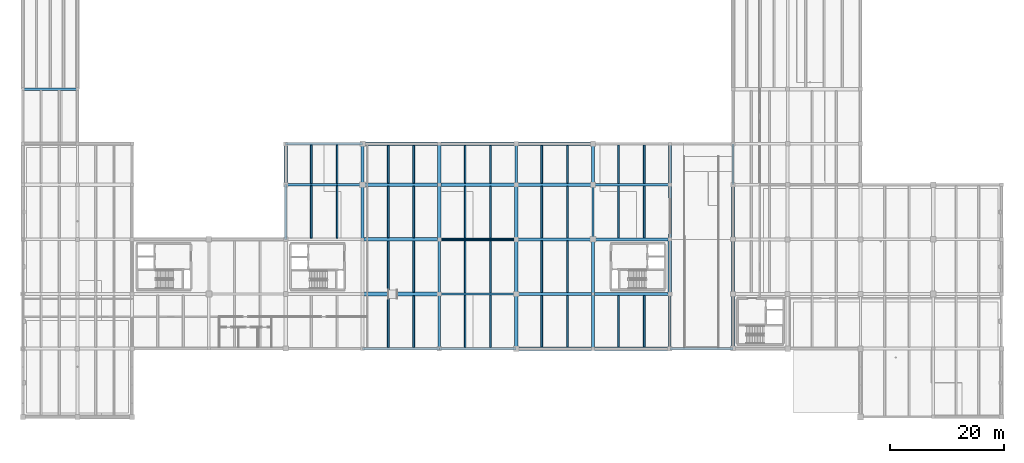
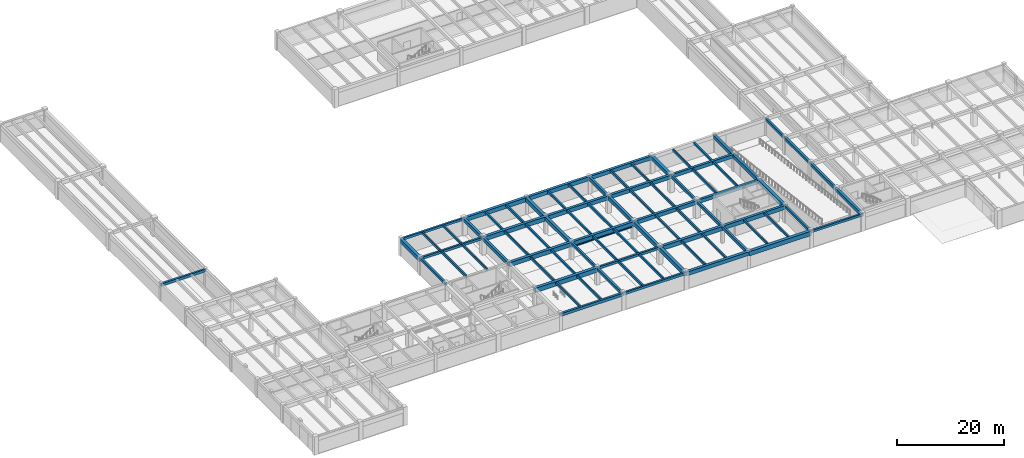
# One storey, part 4 of 28: 82 beams.
"""IFC4 building model written with IfcOpenShell, lengths in metres."""

from ifc_helpers import new_model, si_unit, direction, frame, origin, origin_2d, place, context, subcontext, project, spatial, rectangle, i_section, extrude, material, material_profile, profile_set, type_object, element, save


model = new_model("IFC4")

# Units and contexts
model_context = context("Model", 3, precision=1e-05, world=origin(), true_north=direction((0.0, 1.0)))
body_context = subcontext(model_context, "Body", "Model", "MODEL_VIEW")
ifc_project = project(units=[si_unit("LENGTHUNIT", "METRE"), si_unit("AREAUNIT", "SQUARE_METRE"), si_unit("VOLUMEUNIT", "CUBIC_METRE"), si_unit("PLANEANGLEUNIT", "RADIAN"), si_unit("MASSUNIT", "GRAM", prefix="KILO")], contexts=[model_context])

# Site, building, storey
site_placement = place(None, origin())
site = spatial("IfcSite", under=ifc_project, at=site_placement, CompositionType="ELEMENT")
building_placement = place(site_placement, origin())
building = spatial("IfcBuilding", under=site, at=building_placement, Name="Fikremerkos Civic Library", CompositionType="ELEMENT")
storey_placement = place(building_placement, frame((0.0, 0.0, -4.199951171875)))
storey = spatial("IfcBuildingStorey", under=building, at=storey_placement, Name="B01", CompositionType="ELEMENT", Elevation=-4.199951171875)

# Beams
ifc_material_1 = material(Name="Concrete C40/50", Category="concrete")
ifc_material_profile_1 = material_profile(ifc_material_1, rectangle(XDim=0.300048828125, YDim=0.52001953125, at=origin_2d()), Name="RC 300x520")
ifc_profile_set_1 = profile_set([ifc_material_profile_1], Name="Concrete C40/50")
beam_type_1 = type_object("IfcBeamType", Name="Floor joist JS-03 RC 300x520", PredefinedType="JOIST", material=ifc_profile_set_1)
for number, where, z_axis, x_axis, name in (
    (1, (50.699951171875, 31.39990234375, 3.619873046875), (0.0, 1.0, 0.0), (-1.0, 0.0, 0.0), "Floor joist JS-03 B01 #177"),
    (2, (55.199951171875, 31.39990234375, 3.619873046875), (0.0, 1.0, 0.0), (-1.0, 0.0, 0.0), "Floor joist JS-03 B01 #178"),
):
    element("IfcBeam", number, at=place(storey_placement, frame(where, z_axis=z_axis, x_axis=x_axis)), inside=storey, type_object=beam_type_1, Name=name, PredefinedType="JOIST", context=body_context, shape_type="SweptSolid", body=[
        extrude(rectangle(XDim=0.300048828125, YDim=0.52001953125, at=origin_2d()), origin(), (0.0, 0.0, 1.0), 9.2001953125),
    ])
for number, where, z_axis, x_axis, name in (
    (3, (50.699951171875, 41.0, 3.619873046875), (0.0, 1.0, 0.0), (-1.0, 0.0, 0.0), "Floor joist JS-03 B01 #179"),
    (4, (55.199951171875, 41.0, 3.619873046875), (0.0, 1.0, 0.0), (-1.0, 0.0, 0.0), "Floor joist JS-03 B01 #180"),
):
    element("IfcBeam", number, at=place(storey_placement, frame(where, z_axis=z_axis, x_axis=x_axis)), inside=storey, type_object=beam_type_1, Name=name, PredefinedType="JOIST", context=body_context, shape_type="SweptSolid", body=[
        extrude(rectangle(XDim=0.300048828125, YDim=0.52001953125, at=origin_2d()), origin(), (0.0, 0.0, 1.0), 6.800048828125),
    ])
for number, where, z_axis, x_axis, name in (
    (5, (64.199951171875, 12.22509765625, 3.599853515625), (0.0, 1.0, 0.0), (-1.0, 0.0, 0.0), "Floor joist JS-03 B01 #181"),
    (6, (68.699951171875, 12.22509765625, 3.599853515625), (0.0, 1.0, 0.0), (-1.0, 0.0, 0.0), "Floor joist JS-03 B01 #182"),
):
    element("IfcBeam", number, at=place(storey_placement, frame(where, z_axis=z_axis, x_axis=x_axis)), inside=storey, type_object=beam_type_1, Name=name, PredefinedType="JOIST", context=body_context, shape_type="SweptSolid", body=[
        extrude(rectangle(XDim=0.300048828125, YDim=0.52001953125, at=origin_2d()), origin(), (0.0, 0.0, 1.0), 9.0498046875),
    ])
for number, where, z_axis, x_axis, name in (
    (7, (64.199951171875, 21.925048828125, 3.599853515625), (0.0, 1.0, 0.0), (-1.0, 0.0, 0.0), "Floor joist JS-03 B01 #183"),
    (8, (68.699951171875, 21.925048828125, 3.599853515625), (0.0, 1.0, 0.0), (-1.0, 0.0, 0.0), "Floor joist JS-03 B01 #184"),
):
    element("IfcBeam", number, at=place(storey_placement, frame(where, z_axis=z_axis, x_axis=x_axis)), inside=storey, type_object=beam_type_1, Name=name, PredefinedType="JOIST", context=body_context, shape_type="SweptSolid", body=[
        extrude(rectangle(XDim=0.300048828125, YDim=0.52001953125, at=origin_2d()), origin(), (0.0, 0.0, 1.0), 8.974853515625),
    ])
for number, where, z_axis, x_axis, name in (
    (9, (64.199951171875, 31.5, 3.619873046875), (0.0, 1.0, 0.0), (-1.0, 0.0, 0.0), "Floor joist JS-03 B01 #185"),
    (10, (68.699951171875, 31.5, 3.619873046875), (0.0, 1.0, 0.0), (-1.0, 0.0, 0.0), "Floor joist JS-03 B01 #186"),
):
    element("IfcBeam", number, at=place(storey_placement, frame(where, z_axis=z_axis, x_axis=x_axis)), inside=storey, type_object=beam_type_1, Name=name, PredefinedType="JOIST", context=body_context, shape_type="SweptSolid", body=[
        extrude(rectangle(XDim=0.300048828125, YDim=0.52001953125, at=origin_2d()), origin(), (0.0, 0.0, 1.0), 9.0),
    ])
for number, where, z_axis, x_axis, name in (
    (11, (64.199951171875, 41.10009765625, 3.619873046875), (0.0, 1.0, 0.0), (-1.0, 0.0, 0.0), "Floor joist JS-03 B01 #187"),
    (12, (68.699951171875, 41.10009765625, 3.619873046875), (0.0, 1.0, 0.0), (-1.0, 0.0, 0.0), "Floor joist JS-03 B01 #188"),
):
    element("IfcBeam", number, at=place(storey_placement, frame(where, z_axis=z_axis, x_axis=x_axis)), inside=storey, type_object=beam_type_1, Name=name, PredefinedType="JOIST", context=body_context, shape_type="SweptSolid", body=[
        extrude(rectangle(XDim=0.300048828125, YDim=0.52001953125, at=origin_2d()), origin(), (0.0, 0.0, 1.0), 6.599853515625),
    ])
for number, where, z_axis, x_axis, name in (
    (13, (77.699951171875, 12.199951171875, 3.599853515625), (0.0, 1.0, 0.0), (-1.0, 0.0, 0.0), "Floor joist JS-03 B01 #192"),
    (14, (82.199951171875, 12.199951171875, 3.599853515625), (0.0, 1.0, 0.0), (-1.0, 0.0, 0.0), "Floor joist JS-03 B01 #193"),
):
    element("IfcBeam", number, at=place(storey_placement, frame(where, z_axis=z_axis, x_axis=x_axis)), inside=storey, type_object=beam_type_1, Name=name, PredefinedType="JOIST", context=body_context, shape_type="SweptSolid", body=[
        extrude(rectangle(XDim=0.300048828125, YDim=0.52001953125, at=origin_2d()), origin(), (0.0, 0.0, 1.0), 9.199951171875),
    ])
for number, where, z_axis, x_axis, name in (
    (15, (77.699951171875, 21.800048828125, 3.599853515625), (0.0, 1.0, 0.0), (-1.0, 0.0, 0.0), "Floor joist JS-03 B01 #194"),
    (16, (82.199951171875, 21.800048828125, 3.599853515625), (0.0, 1.0, 0.0), (-1.0, 0.0, 0.0), "Floor joist JS-03 B01 #195"),
):
    element("IfcBeam", number, at=place(storey_placement, frame(where, z_axis=z_axis, x_axis=x_axis)), inside=storey, type_object=beam_type_1, Name=name, PredefinedType="JOIST", context=body_context, shape_type="SweptSolid", body=[
        extrude(rectangle(XDim=0.300048828125, YDim=0.52001953125, at=origin_2d()), origin(), (0.0, 0.0, 1.0), 9.125),
    ])
for number, where, z_axis, x_axis, name in (
    (17, (77.699951171875, 31.47509765625, 3.619873046875), (0.0, 1.0, 0.0), (-1.0, 0.0, 0.0), "Floor joist JS-03 B01 #196"),
    (18, (82.199951171875, 31.47509765625, 3.619873046875), (0.0, 1.0, 0.0), (-1.0, 0.0, 0.0), "Floor joist JS-03 B01 #197"),
):
    element("IfcBeam", number, at=place(storey_placement, frame(where, z_axis=z_axis, x_axis=x_axis)), inside=storey, type_object=beam_type_1, Name=name, PredefinedType="JOIST", context=body_context, shape_type="SweptSolid", body=[
        extrude(rectangle(XDim=0.300048828125, YDim=0.52001953125, at=origin_2d()), origin(), (0.0, 0.0, 1.0), 9.0498046875),
    ])
for number, where, z_axis, x_axis, name in (
    (19, (77.699951171875, 41.074951171875, 3.619873046875), (0.0, 1.0, 0.0), (-1.0, 0.0, 0.0), "Floor joist JS-03 B01 #198"),
    (20, (82.199951171875, 41.074951171875, 3.619873046875), (0.0, 1.0, 0.0), (-1.0, 0.0, 0.0), "Floor joist JS-03 B01 #199"),
):
    element("IfcBeam", number, at=place(storey_placement, frame(where, z_axis=z_axis, x_axis=x_axis)), inside=storey, type_object=beam_type_1, Name=name, PredefinedType="JOIST", context=body_context, shape_type="SweptSolid", body=[
        extrude(rectangle(XDim=0.300048828125, YDim=0.52001953125, at=origin_2d()), origin(), (0.0, 0.0, 1.0), 6.650146484375),
    ])
for number, where, z_axis, x_axis, name in (
    (21, (91.199951171875, 12.300048828125, 3.599853515625), (0.0, 1.0, 0.0), (-1.0, 0.0, 0.0), "Floor joist JS-03 B01 #200"),
    (22, (95.699951171875, 12.300048828125, 3.599853515625), (0.0, 1.0, 0.0), (-1.0, 0.0, 0.0), "Floor joist JS-03 B01 #201"),
):
    element("IfcBeam", number, at=place(storey_placement, frame(where, z_axis=z_axis, x_axis=x_axis)), inside=storey, type_object=beam_type_1, Name=name, PredefinedType="JOIST", context=body_context, shape_type="SweptSolid", body=[
        extrude(rectangle(XDim=0.300048828125, YDim=0.52001953125, at=origin_2d()), origin(), (0.0, 0.0, 1.0), 9.0),
    ])
for number, where, z_axis, x_axis, name in (
    (23, (91.199951171875, 21.89990234375, 3.599853515625), (0.0, 1.0, 0.0), (-1.0, 0.0, 0.0), "Floor joist JS-03 B01 #202"),
    (24, (95.699951171875, 21.89990234375, 3.599853515625), (0.0, 1.0, 0.0), (-1.0, 0.0, 0.0), "Floor joist JS-03 B01 #203"),
):
    element("IfcBeam", number, at=place(storey_placement, frame(where, z_axis=z_axis, x_axis=x_axis)), inside=storey, type_object=beam_type_1, Name=name, PredefinedType="JOIST", context=body_context, shape_type="SweptSolid", body=[
        extrude(rectangle(XDim=0.300048828125, YDim=0.52001953125, at=origin_2d()), origin(), (0.0, 0.0, 1.0), 9.025146484375),
    ])
for number, where, z_axis, x_axis, name in (
    (25, (91.199951171875, 31.47509765625, 3.619873046875), (0.0, 1.0, 0.0), (-1.0, 0.0, 0.0), "Floor joist JS-03 B01 #204"),
    (26, (95.699951171875, 31.47509765625, 3.619873046875), (0.0, 1.0, 0.0), (-1.0, 0.0, 0.0), "Floor joist JS-03 B01 #205"),
):
    element("IfcBeam", number, at=place(storey_placement, frame(where, z_axis=z_axis, x_axis=x_axis)), inside=storey, type_object=beam_type_1, Name=name, PredefinedType="JOIST", context=body_context, shape_type="SweptSolid", body=[
        extrude(rectangle(XDim=0.300048828125, YDim=0.52001953125, at=origin_2d()), origin(), (0.0, 0.0, 1.0), 9.0498046875),
    ])
for number, where, z_axis, x_axis, name in (
    (27, (91.199951171875, 41.074951171875, 3.619873046875), (0.0, 1.0, 0.0), (-1.0, 0.0, 0.0), "Floor joist JS-03 B01 #206"),
    (28, (95.699951171875, 41.074951171875, 3.619873046875), (0.0, 1.0, 0.0), (-1.0, 0.0, 0.0), "Floor joist JS-03 B01 #207"),
):
    element("IfcBeam", number, at=place(storey_placement, frame(where, z_axis=z_axis, x_axis=x_axis)), inside=storey, type_object=beam_type_1, Name=name, PredefinedType="JOIST", context=body_context, shape_type="SweptSolid", body=[
        extrude(rectangle(XDim=0.300048828125, YDim=0.52001953125, at=origin_2d()), origin(), (0.0, 0.0, 1.0), 6.650146484375),
    ])
for number, where, z_axis, x_axis, name in (
    (29, (104.699951171875, 12.324951171875, 3.599853515625), (0.0, 1.0, 0.0), (-1.0, 0.0, 0.0), "Floor joist JS-03 B01 #211"),
    (30, (109.199951171875, 12.324951171875, 3.599853515625), (0.0, 1.0, 0.0), (-1.0, 0.0, 0.0), "Floor joist JS-03 B01 #212"),
):
    element("IfcBeam", number, at=place(storey_placement, frame(where, z_axis=z_axis, x_axis=x_axis)), inside=storey, type_object=beam_type_1, Name=name, PredefinedType="JOIST", context=body_context, shape_type="SweptSolid", body=[
        extrude(rectangle(XDim=0.300048828125, YDim=0.52001953125, at=origin_2d()), origin(), (0.0, 0.0, 1.0), 9.0),
    ])
for number, where, z_axis, x_axis, name in (
    (31, (104.699951171875, 31.449951171875, 3.619873046875), (0.0, 1.0, 0.0), (-1.0, 0.0, 0.0), "Floor joist JS-03 B01 #213"),
    (32, (109.199951171875, 31.449951171875, 3.619873046875), (0.0, 1.0, 0.0), (-1.0, 0.0, 0.0), "Floor joist JS-03 B01 #214"),
):
    element("IfcBeam", number, at=place(storey_placement, frame(where, z_axis=z_axis, x_axis=x_axis)), inside=storey, type_object=beam_type_1, Name=name, PredefinedType="JOIST", context=body_context, shape_type="SweptSolid", body=[
        extrude(rectangle(XDim=0.300048828125, YDim=0.52001953125, at=origin_2d()), origin(), (0.0, 0.0, 1.0), 9.10009765625),
    ])
for number, where, z_axis, x_axis, name in (
    (33, (104.699951171875, 41.050048828125, 3.619873046875), (0.0, 1.0, 0.0), (-1.0, 0.0, 0.0), "Floor joist JS-03 B01 #215"),
    (34, (109.199951171875, 41.050048828125, 3.619873046875), (0.0, 1.0, 0.0), (-1.0, 0.0, 0.0), "Floor joist JS-03 B01 #216"),
):
    element("IfcBeam", number, at=place(storey_placement, frame(where, z_axis=z_axis, x_axis=x_axis)), inside=storey, type_object=beam_type_1, Name=name, PredefinedType="JOIST", context=body_context, shape_type="SweptSolid", body=[
        extrude(rectangle(XDim=0.300048828125, YDim=0.52001953125, at=origin_2d()), origin(), (0.0, 0.0, 1.0), 6.699951171875),
    ])
ifc_material_2 = material(Name="Steel S355", Category="steel")
ifc_material_profile_2 = material_profile(ifc_material_2, i_section(OverallWidth=0.1201171875, OverallDepth=0.239990234375, WebThickness=0.006103515625, FlangeThickness=0.009765625, FilletRadius=0.014892578125, at=origin_2d()), Name="IPE 240")
ifc_profile_set_2 = profile_set([ifc_material_profile_2], Name="Steel S355")
beam_type_2 = type_object("IfcBeamType", Name="Opening lintel LNT-04 IPE 240", PredefinedType="LINTEL", material=ifc_profile_set_2)
beam_1_placement = place(storey_placement, frame((73.199951171875, 31.199951171875, 2.619873046875), z_axis=(1.0, 0.0, 0.0), x_axis=(0.0, 1.0, 0.0)))
element("IfcBeam", 35, at=beam_1_placement, inside=storey, type_object=beam_type_2, Name="Interior portal lintel LNT-04 B01 #4", PredefinedType="LINTEL", context=body_context, shape_type="SweptSolid", body=[
    extrude(i_section(OverallWidth=0.1201171875, OverallDepth=0.239990234375, WebThickness=0.006103515625, FlangeThickness=0.009765625, FilletRadius=0.014892578125, at=origin_2d()), origin(), (0.0, 0.0, 1.0), 13.5),
])
ifc_material_profile_3 = material_profile(ifc_material_1, rectangle(XDim=0.60009765625, YDim=0.949951171875, at=origin_2d()), Name="RC 600x950")
ifc_profile_set_3 = profile_set([ifc_material_profile_3], Name="Concrete C40/50")
beam_type_3 = type_object("IfcBeamType", Name="Primary girder BM-01 RC 600x950", PredefinedType="BEAM", material=ifc_profile_set_3)
for number, where, z_axis, x_axis, name in (
    (36, (86.699951171875, 21.60009765625, 3.385009765625), (1.0, 0.0, 0.0), (0.0, 1.0, 0.0), "Primary girder BM-01 B01 grid F"),
    (37, (59.699951171875, 31.199951171875, 3.385009765625), (1.0, 0.0, 0.0), (0.0, 1.0, 0.0), "Primary girder BM-01 B01 grid G"),
    (38, (59.699951171875, 40.800048828125, 3.405029296875), (1.0, 0.0, 0.0), (0.0, 1.0, 0.0), "Primary girder BM-01 B01 grid H"),
    (39, (59.699951171875, 48.0, 3.405029296875), (1.0, 0.0, 0.0), (0.0, 1.0, 0.0), "Primary girder BM-01 B01 grid J"),
):
    element("IfcBeam", number, at=place(storey_placement, frame(where, z_axis=z_axis, x_axis=x_axis)), inside=storey, type_object=beam_type_3, Name=name, PredefinedType="BEAM", context=body_context, shape_type="SweptSolid", body=[
        extrude(rectangle(XDim=0.60009765625, YDim=0.949951171875, at=origin_2d()), origin(), (0.0, 0.0, 1.0), 13.5),
    ])
beam_2_placement = place(storey_placement, frame((46.199951171875, 40.800048828125, 3.405029296875), z_axis=(0.0, 1.0, 0.0), x_axis=(-1.0, 0.0, 0.0)))
element("IfcBeam", 40, at=beam_2_placement, inside=storey, type_object=beam_type_3, Name="Primary girder BM-01 B01 grid 5", PredefinedType="BEAM", context=body_context, shape_type="SweptSolid", body=[
    extrude(rectangle(XDim=0.60009765625, YDim=0.949951171875, at=origin_2d()), origin(), (0.0, 0.0, 1.0), 7.199951171875),
])
beam_3_placement = place(storey_placement, frame((86.699951171875, 12.0, 3.385009765625), z_axis=(0.0, 1.0, 0.0), x_axis=(-1.0, 0.0, 0.0)))
element("IfcBeam", 41, at=beam_3_placement, inside=storey, type_object=beam_type_3, Name="Primary girder BM-01 B01 grid 8", PredefinedType="BEAM", context=body_context, shape_type="SweptSolid", body=[
    extrude(rectangle(XDim=0.60009765625, YDim=0.949951171875, at=origin_2d()), origin(), (0.0, 0.0, 1.0), 9.60009765625),
])
beam_4_placement = place(storey_placement, frame((113.699951171875, 21.60009765625, 3.385009765625), z_axis=(0.0, 1.0, 0.0), x_axis=(-1.0, 0.0, 0.0)))
element("IfcBeam", 42, at=beam_4_placement, inside=storey, type_object=beam_type_3, Name="Primary girder BM-01 B01 grid 10", PredefinedType="BEAM", context=body_context, shape_type="SweptSolid", body=[
    extrude(rectangle(XDim=0.60009765625, YDim=0.949951171875, at=origin_2d()), origin(), (0.0, 0.0, 1.0), 9.599853515625),
])
ifc_material_profile_4 = material_profile(ifc_material_1, rectangle(XDim=0.550048828125, YDim=0.89990234375, at=origin_2d()), Name="RC 550x900")
ifc_profile_set_4 = profile_set([ifc_material_profile_4], Name="Concrete C40/50")
beam_type_4 = type_object("IfcBeamType", Name="Primary girder BM-02 RC 550x900", PredefinedType="BEAM", material=ifc_profile_set_4)
for number, where, z_axis, x_axis, name in (
    (43, (100.199951171875, 21.60009765625, 3.409912109375), (1.0, 0.0, 0.0), (0.0, 1.0, 0.0), "Primary girder BM-02 B01 grid F"),
    (44, (73.199951171875, 31.199951171875, 3.409912109375), (1.0, 0.0, 0.0), (0.0, 1.0, 0.0), "Primary girder BM-02 B01 grid G"),
    (45, (73.199951171875, 40.800048828125, 3.429931640625), (1.0, 0.0, 0.0), (0.0, 1.0, 0.0), "Primary girder BM-02 B01 grid H"),
    (46, (73.199951171875, 48.0, 3.429931640625), (1.0, 0.0, 0.0), (0.0, 1.0, 0.0), "Primary girder BM-02 B01 grid J"),
):
    element("IfcBeam", number, at=place(storey_placement, frame(where, z_axis=z_axis, x_axis=x_axis)), inside=storey, type_object=beam_type_4, Name=name, PredefinedType="BEAM", context=body_context, shape_type="SweptSolid", body=[
        extrude(rectangle(XDim=0.550048828125, YDim=0.89990234375, at=origin_2d()), origin(), (0.0, 0.0, 1.0), 13.5),
    ])
beam_5_placement = place(storey_placement, frame((86.699951171875, 21.60009765625, 3.409912109375), z_axis=(0.0, 1.0, 0.0), x_axis=(-1.0, 0.0, 0.0)))
element("IfcBeam", 47, at=beam_5_placement, inside=storey, type_object=beam_type_4, Name="Primary girder BM-02 B01 grid 8", PredefinedType="BEAM", context=body_context, shape_type="SweptSolid", body=[
    extrude(rectangle(XDim=0.550048828125, YDim=0.89990234375, at=origin_2d()), origin(), (0.0, 0.0, 1.0), 9.599853515625),
])
beam_6_placement = place(storey_placement, frame((113.699951171875, 31.199951171875, 3.429931640625), z_axis=(0.0, 1.0, 0.0), x_axis=(-1.0, 0.0, 0.0)))
element("IfcBeam", 48, at=beam_6_placement, inside=storey, type_object=beam_type_4, Name="Primary girder BM-02 B01 grid 10", PredefinedType="BEAM", context=body_context, shape_type="SweptSolid", body=[
    extrude(rectangle(XDim=0.550048828125, YDim=0.89990234375, at=origin_2d()), origin(), (0.0, 0.0, 1.0), 9.60009765625),
])
ifc_material_profile_5 = material_profile(ifc_material_1, rectangle(XDim=0.550048828125, YDim=0.85009765625, at=origin_2d()), Name="RC 550x850")
ifc_profile_set_5 = profile_set([ifc_material_profile_5], Name="Concrete C40/50")
beam_type_5 = type_object("IfcBeamType", Name="Primary girder BM-03 RC 550x850", PredefinedType="BEAM", material=ifc_profile_set_5)
for number, where, z_axis, x_axis, name in (
    (49, (86.699951171875, 31.199951171875, 3.43505859375), (1.0, 0.0, 0.0), (0.0, 1.0, 0.0), "Primary girder BM-03 B01 grid G"),
    (50, (86.699951171875, 40.800048828125, 3.454833984375), (1.0, 0.0, 0.0), (0.0, 1.0, 0.0), "Primary girder BM-03 B01 grid H"),
    (51, (86.699951171875, 48.0, 3.454833984375), (1.0, 0.0, 0.0), (0.0, 1.0, 0.0), "Primary girder BM-03 B01 grid J"),
):
    element("IfcBeam", number, at=place(storey_placement, frame(where, z_axis=z_axis, x_axis=x_axis)), inside=storey, type_object=beam_type_5, Name=name, PredefinedType="BEAM", context=body_context, shape_type="SweptSolid", body=[
        extrude(rectangle(XDim=0.550048828125, YDim=0.85009765625, at=origin_2d()), origin(), (0.0, 0.0, 1.0), 13.5),
    ])
beam_7_placement = place(storey_placement, frame((86.699951171875, 31.199951171875, 3.454833984375), z_axis=(0.0, 1.0, 0.0), x_axis=(-1.0, 0.0, 0.0)))
element("IfcBeam", 52, at=beam_7_placement, inside=storey, type_object=beam_type_5, Name="Primary girder BM-03 B01 grid 8", PredefinedType="BEAM", context=body_context, shape_type="SweptSolid", body=[
    extrude(rectangle(XDim=0.550048828125, YDim=0.85009765625, at=origin_2d()), origin(), (0.0, 0.0, 1.0), 9.60009765625),
])
beam_8_placement = place(storey_placement, frame((113.699951171875, 40.800048828125, 3.454833984375), z_axis=(0.0, 1.0, 0.0), x_axis=(-1.0, 0.0, 0.0)))
element("IfcBeam", 53, at=beam_8_placement, inside=storey, type_object=beam_type_5, Name="Primary girder BM-03 B01 grid 10", PredefinedType="BEAM", context=body_context, shape_type="SweptSolid", body=[
    extrude(rectangle(XDim=0.550048828125, YDim=0.85009765625, at=origin_2d()), origin(), (0.0, 0.0, 1.0), 7.199951171875),
])
ifc_material_profile_6 = material_profile(ifc_material_1, rectangle(XDim=0.5, YDim=0.800048828125, at=origin_2d()), Name="RC 500x800")
ifc_profile_set_6 = profile_set([ifc_material_profile_6], Name="Concrete C40/50")
beam_type_6 = type_object("IfcBeamType", Name="Primary girder BM-04 RC 500x800", PredefinedType="BEAM", material=ifc_profile_set_6)
for number, where, z_axis, x_axis, name in (
    (54, (100.199951171875, 31.199951171875, 3.4599609375), (1.0, 0.0, 0.0), (0.0, 1.0, 0.0), "Primary girder BM-04 B01 grid G"),
    (55, (100.199951171875, 40.800048828125, 3.47998046875), (1.0, 0.0, 0.0), (0.0, 1.0, 0.0), "Primary girder BM-04 B01 grid H"),
):
    element("IfcBeam", number, at=place(storey_placement, frame(where, z_axis=z_axis, x_axis=x_axis)), inside=storey, type_object=beam_type_6, Name=name, PredefinedType="BEAM", context=body_context, shape_type="SweptSolid", body=[
        extrude(rectangle(XDim=0.5, YDim=0.800048828125, at=origin_2d()), origin(), (0.0, 0.0, 1.0), 13.5),
    ])
beam_9_placement = place(storey_placement, frame((59.699951171875, 31.199951171875, 3.47998046875), z_axis=(0.0, 1.0, 0.0), x_axis=(-1.0, 0.0, 0.0)))
element("IfcBeam", 56, at=beam_9_placement, inside=storey, type_object=beam_type_6, Name="Primary girder BM-04 B01 grid 6", PredefinedType="BEAM", context=body_context, shape_type="SweptSolid", body=[
    extrude(rectangle(XDim=0.5, YDim=0.800048828125, at=origin_2d()), origin(), (0.0, 0.0, 1.0), 9.60009765625),
])
beam_10_placement = place(storey_placement, frame((86.699951171875, 40.800048828125, 3.47998046875), z_axis=(0.0, 1.0, 0.0), x_axis=(-1.0, 0.0, 0.0)))
element("IfcBeam", 57, at=beam_10_placement, inside=storey, type_object=beam_type_6, Name="Primary girder BM-04 B01 grid 8", PredefinedType="BEAM", context=body_context, shape_type="SweptSolid", body=[
    extrude(rectangle(XDim=0.5, YDim=0.800048828125, at=origin_2d()), origin(), (0.0, 0.0, 1.0), 7.199951171875),
])
ifc_material_profile_7 = material_profile(ifc_material_1, rectangle(XDim=0.5, YDim=0.75, at=origin_2d()), Name="RC 500x750")
ifc_profile_set_7 = profile_set([ifc_material_profile_7], Name="Concrete C40/50")
beam_type_7 = type_object("IfcBeamType", Name="Primary girder BM-05 RC 500x750", PredefinedType="BEAM", material=ifc_profile_set_7)
beam_11_placement = place(storey_placement, frame((59.699951171875, 40.800048828125, 3.5048828125), z_axis=(0.0, 1.0, 0.0), x_axis=(-1.0, 0.0, 0.0)))
element("IfcBeam", 58, at=beam_11_placement, inside=storey, type_object=beam_type_7, Name="Primary girder BM-05 B01 grid 6", PredefinedType="BEAM", context=body_context, shape_type="SweptSolid", body=[
    extrude(rectangle(XDim=0.5, YDim=0.75, at=origin_2d()), origin(), (0.0, 0.0, 1.0), 7.199951171875),
])
beam_12_placement = place(storey_placement, frame((124.800048828125, 12.0, 3.48486328125), z_axis=(0.0, 1.0, 0.0), x_axis=(-1.0, 0.0, 0.0)))
element("IfcBeam", 59, at=beam_12_placement, inside=storey, type_object=beam_type_7, Name="Primary girder BM-05 B01 grid 11", PredefinedType="BEAM", context=body_context, shape_type="SweptSolid", body=[
    extrude(rectangle(XDim=0.5, YDim=0.75, at=origin_2d()), origin(), (0.0, 0.0, 1.0), 9.60009765625),
])
ifc_material_profile_8 = material_profile(ifc_material_1, rectangle(XDim=0.449951171875, YDim=0.699951171875, at=origin_2d()), Name="RC 450x700")
ifc_profile_set_8 = profile_set([ifc_material_profile_8], Name="Concrete C40/50")
beam_type_8 = type_object("IfcBeamType", Name="Primary girder BM-06 RC 450x700", PredefinedType="BEAM", material=ifc_profile_set_8)
beam_13_placement = place(storey_placement, frame((100.199951171875, 12.0, 3.510009765625), z_axis=(0.0, 1.0, 0.0), x_axis=(-1.0, 0.0, 0.0)))
element("IfcBeam", 60, at=beam_13_placement, inside=storey, type_object=beam_type_8, Name="Primary girder BM-06 B01 grid 9", PredefinedType="BEAM", context=body_context, shape_type="SweptSolid", body=[
    extrude(rectangle(XDim=0.449951171875, YDim=0.699951171875, at=origin_2d()), origin(), (0.0, 0.0, 1.0), 9.60009765625),
])
beam_14_placement = place(storey_placement, frame((124.800048828125, 21.60009765625, 3.510009765625), z_axis=(0.0, 1.0, 0.0), x_axis=(-1.0, 0.0, 0.0)))
element("IfcBeam", 61, at=beam_14_placement, inside=storey, type_object=beam_type_8, Name="Primary girder BM-06 B01 grid 11", PredefinedType="BEAM", context=body_context, shape_type="SweptSolid", body=[
    extrude(rectangle(XDim=0.449951171875, YDim=0.699951171875, at=origin_2d()), origin(), (0.0, 0.0, 1.0), 9.599853515625),
])
ifc_material_profile_9 = material_profile(ifc_material_1, rectangle(XDim=0.449951171875, YDim=0.64990234375, at=origin_2d()), Name="RC 450x650")
ifc_profile_set_9 = profile_set([ifc_material_profile_9], Name="Concrete C40/50")
beam_type_9 = type_object("IfcBeamType", Name="Primary girder BM-07 RC 450x650", PredefinedType="BEAM", material=ifc_profile_set_9)
beam_15_placement = place(storey_placement, frame((59.699951171875, 12.0, 3.534912109375), z_axis=(1.0, 0.0, 0.0), x_axis=(0.0, 1.0, 0.0)))
element("IfcBeam", 62, at=beam_15_placement, inside=storey, type_object=beam_type_9, Name="Primary girder BM-07 B01 grid E", PredefinedType="BEAM", context=body_context, shape_type="SweptSolid", body=[
    extrude(rectangle(XDim=0.449951171875, YDim=0.64990234375, at=origin_2d()), origin(), (0.0, 0.0, 1.0), 13.5),
])
beam_16_placement = place(storey_placement, frame((73.199951171875, 12.0, 3.534912109375), z_axis=(0.0, 1.0, 0.0), x_axis=(-1.0, 0.0, 0.0)))
element("IfcBeam", 63, at=beam_16_placement, inside=storey, type_object=beam_type_9, Name="Primary girder BM-07 B01 grid 7", PredefinedType="BEAM", context=body_context, shape_type="SweptSolid", body=[
    extrude(rectangle(XDim=0.449951171875, YDim=0.64990234375, at=origin_2d()), origin(), (0.0, 0.0, 1.0), 9.60009765625),
])
beam_17_placement = place(storey_placement, frame((100.199951171875, 21.60009765625, 3.534912109375), z_axis=(0.0, 1.0, 0.0), x_axis=(-1.0, 0.0, 0.0)))
element("IfcBeam", 64, at=beam_17_placement, inside=storey, type_object=beam_type_9, Name="Primary girder BM-07 B01 grid 9", PredefinedType="BEAM", context=body_context, shape_type="SweptSolid", body=[
    extrude(rectangle(XDim=0.449951171875, YDim=0.64990234375, at=origin_2d()), origin(), (0.0, 0.0, 1.0), 9.599853515625),
])
beam_18_placement = place(storey_placement, frame((124.800048828125, 31.199951171875, 3.554931640625), z_axis=(0.0, 1.0, 0.0), x_axis=(-1.0, 0.0, 0.0)))
element("IfcBeam", 65, at=beam_18_placement, inside=storey, type_object=beam_type_9, Name="Primary girder BM-07 B01 grid 11", PredefinedType="BEAM", context=body_context, shape_type="SweptSolid", body=[
    extrude(rectangle(XDim=0.449951171875, YDim=0.64990234375, at=origin_2d()), origin(), (0.0, 0.0, 1.0), 9.60009765625),
])
ifc_material_profile_10 = material_profile(ifc_material_1, rectangle(XDim=0.39990234375, YDim=0.60009765625, at=origin_2d()), Name="RC 400x600")
ifc_profile_set_10 = profile_set([ifc_material_profile_10], Name="Concrete C40/50")
beam_type_10 = type_object("IfcBeamType", Name="Primary girder BM-08 RC 400x600", PredefinedType="BEAM", material=ifc_profile_set_10)
beam_19_placement = place(storey_placement, frame((73.199951171875, 12.0, 3.56005859375), z_axis=(1.0, 0.0, 0.0), x_axis=(0.0, 1.0, 0.0)))
element("IfcBeam", 66, at=beam_19_placement, inside=storey, type_object=beam_type_10, Name="Primary girder BM-08 B01 grid E", PredefinedType="BEAM", context=body_context, shape_type="SweptSolid", body=[
    extrude(rectangle(XDim=0.39990234375, YDim=0.60009765625, at=origin_2d()), origin(), (0.0, 0.0, 1.0), 13.5),
])
beam_20_placement = place(storey_placement, frame((0.0, 57.60009765625, 3.619873046875), z_axis=(1.0, 0.0, 0.0), x_axis=(0.0, 1.0, 0.0)))
element("IfcBeam", 67, at=beam_20_placement, inside=storey, type_object=beam_type_10, Name="Primary girder BM-08 B01 grid K", PredefinedType="BEAM", context=body_context, shape_type="SweptSolid", body=[
    extrude(rectangle(XDim=0.39990234375, YDim=0.60009765625, at=origin_2d()), origin(), (0.0, 0.0, 1.0), 9.60009765625),
])
beam_21_placement = place(storey_placement, frame((73.199951171875, 21.60009765625, 3.56005859375), z_axis=(0.0, 1.0, 0.0), x_axis=(-1.0, 0.0, 0.0)))
element("IfcBeam", 68, at=beam_21_placement, inside=storey, type_object=beam_type_10, Name="Primary girder BM-08 B01 grid 7", PredefinedType="BEAM", context=body_context, shape_type="SweptSolid", body=[
    extrude(rectangle(XDim=0.39990234375, YDim=0.60009765625, at=origin_2d()), origin(), (0.0, 0.0, 1.0), 9.599853515625),
])
beam_22_placement = place(storey_placement, frame((100.199951171875, 31.199951171875, 3.579833984375), z_axis=(0.0, 1.0, 0.0), x_axis=(-1.0, 0.0, 0.0)))
element("IfcBeam", 69, at=beam_22_placement, inside=storey, type_object=beam_type_10, Name="Primary girder BM-08 B01 grid 9", PredefinedType="BEAM", context=body_context, shape_type="SweptSolid", body=[
    extrude(rectangle(XDim=0.39990234375, YDim=0.60009765625, at=origin_2d()), origin(), (0.0, 0.0, 1.0), 9.60009765625),
])
beam_23_placement = place(storey_placement, frame((124.800048828125, 40.800048828125, 3.579833984375), z_axis=(0.0, 1.0, 0.0), x_axis=(-1.0, 0.0, 0.0)))
element("IfcBeam", 70, at=beam_23_placement, inside=storey, type_object=beam_type_10, Name="Primary girder BM-08 B01 grid 11", PredefinedType="BEAM", context=body_context, shape_type="SweptSolid", body=[
    extrude(rectangle(XDim=0.39990234375, YDim=0.60009765625, at=origin_2d()), origin(), (0.0, 0.0, 1.0), 7.199951171875),
])
ifc_material_profile_11 = material_profile(ifc_material_1, rectangle(XDim=0.60009765625, YDim=0.85009765625, at=origin_2d()), Name="RC 600x850")
ifc_profile_set_11 = profile_set([ifc_material_profile_11], Name="Concrete C40/50")
beam_type_11 = type_object("IfcBeamType", Name="Primary girder BM-24 RC 600x850", PredefinedType="BEAM", material=ifc_profile_set_11)
beam_24_placement = place(storey_placement, frame((86.699951171875, 12.0, 3.43505859375), z_axis=(1.0, 0.0, 0.0), x_axis=(0.0, 1.0, 0.0)))
element("IfcBeam", 71, at=beam_24_placement, inside=storey, type_object=beam_type_11, Name="Primary girder BM-24 B01 grid E", PredefinedType="BEAM", context=body_context, shape_type="SweptSolid", body=[
    extrude(rectangle(XDim=0.60009765625, YDim=0.85009765625, at=origin_2d()), origin(), (0.0, 0.0, 1.0), 13.5),
])
beam_25_placement = place(storey_placement, frame((73.199951171875, 31.199951171875, 3.454833984375), z_axis=(0.0, 1.0, 0.0), x_axis=(-1.0, 0.0, 0.0)))
element("IfcBeam", 72, at=beam_25_placement, inside=storey, type_object=beam_type_11, Name="Primary girder BM-24 B01 grid 7", PredefinedType="BEAM", context=body_context, shape_type="SweptSolid", body=[
    extrude(rectangle(XDim=0.60009765625, YDim=0.85009765625, at=origin_2d()), origin(), (0.0, 0.0, 1.0), 9.60009765625),
])
beam_26_placement = place(storey_placement, frame((100.199951171875, 40.800048828125, 3.454833984375), z_axis=(0.0, 1.0, 0.0), x_axis=(-1.0, 0.0, 0.0)))
element("IfcBeam", 73, at=beam_26_placement, inside=storey, type_object=beam_type_11, Name="Primary girder BM-24 B01 grid 9", PredefinedType="BEAM", context=body_context, shape_type="SweptSolid", body=[
    extrude(rectangle(XDim=0.60009765625, YDim=0.85009765625, at=origin_2d()), origin(), (0.0, 0.0, 1.0), 7.199951171875),
])
ifc_material_3 = material(Name="Concrete C45/55", Category="concrete")
ifc_material_profile_12 = material_profile(ifc_material_3, rectangle(XDim=0.64990234375, YDim=1.0, at=origin_2d()), Name="RC 650x1000")
ifc_profile_set_12 = profile_set([ifc_material_profile_12], Name="Concrete C45/55")
beam_type_12 = type_object("IfcBeamType", Name="Primary girder BM-25 RC 650x1000", PredefinedType="BEAM", material=ifc_profile_set_12)
for number, where, z_axis, x_axis, name in (
    (74, (100.199951171875, 12.0, 3.35986328125), (1.0, 0.0, 0.0), (0.0, 1.0, 0.0), "Primary girder BM-25 B01 grid E"),
    (75, (59.699951171875, 21.60009765625, 3.35986328125), (1.0, 0.0, 0.0), (0.0, 1.0, 0.0), "Primary girder BM-25 B01 grid F"),
):
    element("IfcBeam", number, at=place(storey_placement, frame(where, z_axis=z_axis, x_axis=x_axis)), inside=storey, type_object=beam_type_12, Name=name, PredefinedType="BEAM", context=body_context, shape_type="SweptSolid", body=[
        extrude(rectangle(XDim=0.64990234375, YDim=1.0, at=origin_2d()), origin(), (0.0, 0.0, 1.0), 13.5),
    ])
beam_27_placement = place(storey_placement, frame((73.199951171875, 40.800048828125, 3.3798828125), z_axis=(0.0, 1.0, 0.0), x_axis=(-1.0, 0.0, 0.0)))
element("IfcBeam", 76, at=beam_27_placement, inside=storey, type_object=beam_type_12, Name="Primary girder BM-25 B01 grid 7", PredefinedType="BEAM", context=body_context, shape_type="SweptSolid", body=[
    extrude(rectangle(XDim=0.64990234375, YDim=1.0, at=origin_2d()), origin(), (0.0, 0.0, 1.0), 7.199951171875),
])
ifc_material_profile_13 = material_profile(ifc_material_1, rectangle(XDim=0.39990234375, YDim=0.550048828125, at=origin_2d()), Name="RC 400x550")
ifc_profile_set_13 = profile_set([ifc_material_profile_13], Name="Concrete C40/50")
beam_type_13 = type_object("IfcBeamType", Name="Primary girder BM-26 RC 400x550", PredefinedType="BEAM", material=ifc_profile_set_13)
beam_28_placement = place(storey_placement, frame((113.699951171875, 12.0, 3.5849609375), z_axis=(1.0, 0.0, 0.0), x_axis=(0.0, 1.0, 0.0)))
element("IfcBeam", 77, at=beam_28_placement, inside=storey, type_object=beam_type_13, Name="Primary girder BM-26 B01 grid E", PredefinedType="BEAM", context=body_context, shape_type="SweptSolid", body=[
    extrude(rectangle(XDim=0.39990234375, YDim=0.550048828125, at=origin_2d()), origin(), (0.0, 0.0, 1.0), 11.10009765625),
])
for number, where, z_axis, x_axis, name in (
    (78, (73.199951171875, 21.60009765625, 3.5849609375), (1.0, 0.0, 0.0), (0.0, 1.0, 0.0), "Primary girder BM-26 B01 grid F"),
    (79, (46.199951171875, 40.800048828125, 3.60498046875), (1.0, 0.0, 0.0), (0.0, 1.0, 0.0), "Primary girder BM-26 B01 grid H"),
    (80, (46.199951171875, 48.0, 3.60498046875), (1.0, 0.0, 0.0), (0.0, 1.0, 0.0), "Primary girder BM-26 B01 grid J"),
):
    element("IfcBeam", number, at=place(storey_placement, frame(where, z_axis=z_axis, x_axis=x_axis)), inside=storey, type_object=beam_type_13, Name=name, PredefinedType="BEAM", context=body_context, shape_type="SweptSolid", body=[
        extrude(rectangle(XDim=0.39990234375, YDim=0.550048828125, at=origin_2d()), origin(), (0.0, 0.0, 1.0), 13.5),
    ])
for number, where, z_axis, x_axis, name in (
    (81, (46.199951171875, 31.199951171875, 3.60498046875), (0.0, 1.0, 0.0), (-1.0, 0.0, 0.0), "Primary girder BM-26 B01 grid 5"),
    (82, (113.699951171875, 12.0, 3.5849609375), (0.0, 1.0, 0.0), (-1.0, 0.0, 0.0), "Primary girder BM-26 B01 grid 10"),
):
    element("IfcBeam", number, at=place(storey_placement, frame(where, z_axis=z_axis, x_axis=x_axis)), inside=storey, type_object=beam_type_13, Name=name, PredefinedType="BEAM", context=body_context, shape_type="SweptSolid", body=[
        extrude(rectangle(XDim=0.39990234375, YDim=0.550048828125, at=origin_2d()), origin(), (0.0, 0.0, 1.0), 9.60009765625),
    ])

save(model, "model.ifc")
